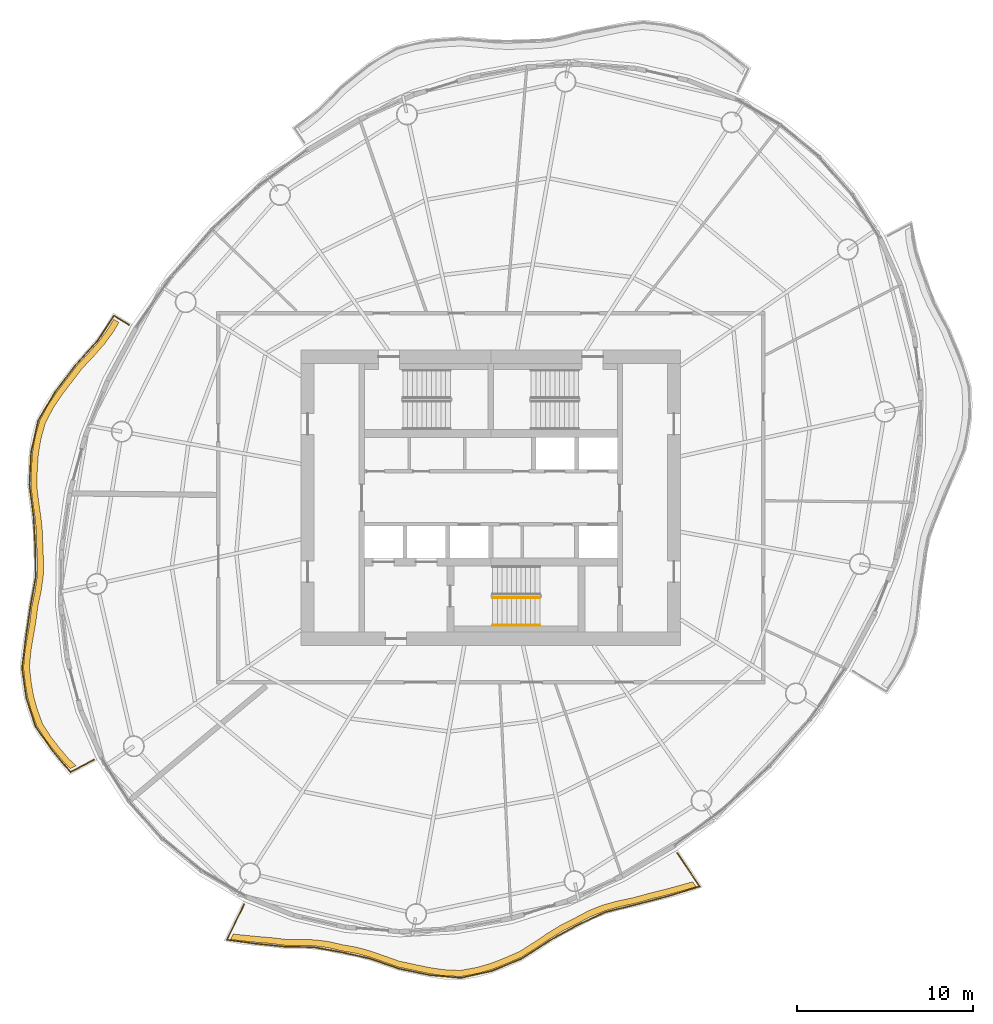
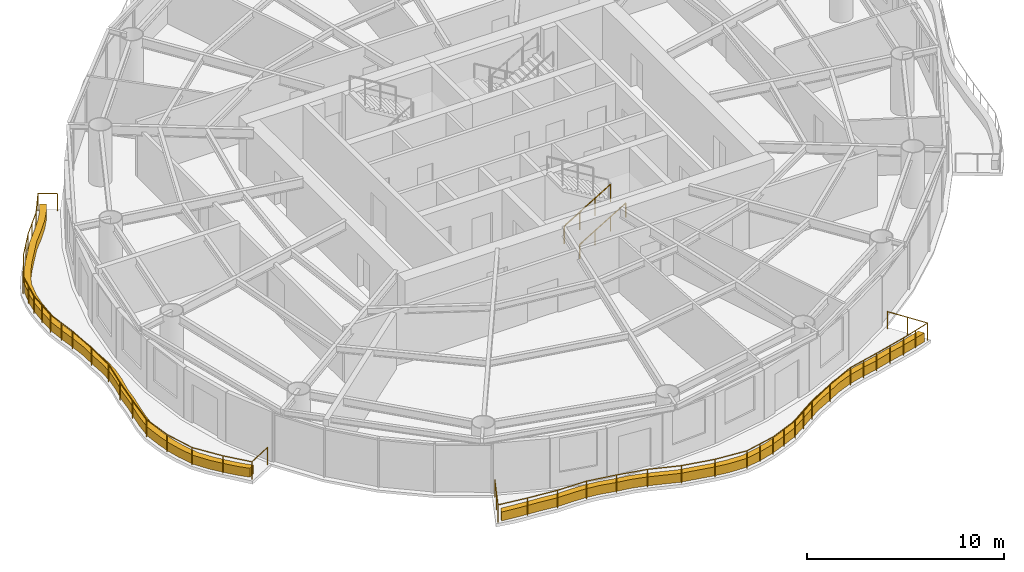
# One storey, part 12 of 14: 4 railings, 2 coverings.
"""IFC4 building model written with IfcOpenShell, lengths in metres."""

from ifc_helpers import new_model, si_unit, direction, frame, origin, origin_2d, place, context, subcontext, project, spatial, polyline, circle, outline, extrude, material, type_object, element, save


model = new_model("IFC4")

# Units and contexts
model_context = context("Model", 3, precision=1e-05, world=origin(), true_north=direction((0.0, 1.0)))
body_context = subcontext(model_context, "Body", "Model", "MODEL_VIEW")
ifc_project = project(units=[si_unit("LENGTHUNIT", "METRE"), si_unit("AREAUNIT", "SQUARE_METRE"), si_unit("VOLUMEUNIT", "CUBIC_METRE"), si_unit("PLANEANGLEUNIT", "RADIAN"), si_unit("MASSUNIT", "GRAM", prefix="KILO")], contexts=[model_context])

# Site, building, storey
site_placement = place(None, origin())
site = spatial("IfcSite", under=ifc_project, at=site_placement, CompositionType="ELEMENT")
building_placement = place(site_placement, origin())
building = spatial("IfcBuilding", under=site, at=building_placement, Name="Vermilion Reach Broadcast Tower", CompositionType="ELEMENT")
storey_placement = place(building_placement, frame((0.0, 0.0, 217.300048828125)))
storey = spatial("IfcBuildingStorey", under=building, at=storey_placement, Name="L53", CompositionType="ELEMENT", Elevation=217.300048828125)

# Coverings
ifc_material_1 = material(Name="Planting soil and greenery")
covering_type = type_object("IfcCoveringType", Name="Balcony PLANTER", PredefinedType="USERDEFINED", material=ifc_material_1)
placement = place(storey_placement, origin())
element("IfcCovering", 1, at=placement, inside=storey, type_object=covering_type, Name="PLANTER L53 group 2", ObjectType="PLANTER", PredefinedType="USERDEFINED", context=body_context, shape_type="SweptSolid", body=[
    extrude(outline(polyline([(-27.46142578125, 10.16455078125), (-27.783447265625, 9.61865234375), (-28.30615234375, 8.90576171875), (-28.898681640625, 8.23095703125), (-29.580322265625, 7.498046875), (-30.1787109375, 6.709716796875), (-30.721923828125, 5.99951171875), (-31.213134765625, 5.2685546875), (-31.68212890625, 4.374755859375), (-31.947265625, 3.42431640625), (-32.085693359375, 2.5869140625), (-32.145751953125, 1.728271484375), (-32.180908203125, 0.73828125), (-32.069580078125, -0.232177734375), (-31.9462890625, -1.083251953125), (-31.8583984375, -1.928955078125), (-31.84326171875, -2.8369140625), (-31.792724609375, -3.71337890625), (-31.826171875, -4.516845703125), (-31.94189453125, -5.31884765625), (-32.129150390625, -6.21142578125), (-32.238037109375, -7.10546875), (-32.37939453125, -7.911376953125), (-32.5146484375, -8.716552734375), (-32.5986328125, -9.67578125), (-32.4931640625, -10.603271484375), (-32.36328125, -11.359619140625), (-32.159912109375, -12.095947265625), (-31.83837890625, -12.98291015625), (-31.3359375, -13.77197265625), (-30.85986328125, -14.38037109375), (-30.357666015625, -14.977294921875), (-29.9228515625, -15.409423828125), (-29.61376953125, -15.2451171875), (-30.036865234375, -14.83740234375), (-30.5390625, -14.240234375), (-31.01513671875, -13.6318359375), (-31.508056640625, -12.8671875), (-31.822021484375, -12.005126953125), (-32.025390625, -11.268798828125), (-32.1552734375, -10.512451171875), (-32.2548828125, -9.609130859375), (-32.167236328125, -8.674560546875), (-32.031982421875, -7.869384765625), (-31.890625, -7.0634765625), (-31.77978515625, -6.193115234375), (-31.592041015625, -5.32421875), (-31.47607421875, -4.52197265625), (-31.442626953125, -3.71875), (-31.494384765625, -2.86474609375), (-31.511962890625, -1.97900390625), (-31.599853515625, -1.13330078125), (-31.72314453125, -0.2822265625), (-31.838134765625, 0.667236328125), (-31.807861328125, 1.63623046875), (-31.747802734375, 2.494873046875), (-31.609375, 3.332275390625), (-31.350341796875, 4.263427734375), (-30.888427734375, 5.137939453125), (-30.397216796875, 5.868896484375), (-29.85400390625, 6.5791015625), (-29.263427734375, 7.349365234375), (-28.5908203125, 8.064697265625), (-27.998291015625, 8.739501953125), (-27.4755859375, 9.4521484375), (-27.1630859375, 9.9814453125), (-27.46142578125, 10.16455078125)])), origin(), (0.0, 0.0, 1.0), 0.550048828125),
])
element("IfcCovering", 2, at=placement, inside=storey, type_object=covering_type, Name="PLANTER L53 group 3", ObjectType="PLANTER", PredefinedType="USERDEFINED", context=body_context, shape_type="SweptSolid", body=[
    extrude(outline(polyline([(-20.815185546875, -25.14404296875), (-20.170654296875, -25.2158203125), (-19.398193359375, -25.295166015625), (-18.618896484375, -25.357421875), (-17.739501953125, -25.465576171875), (-16.843505859375, -25.46923828125), (-16.066650390625, -25.4990234375), (-15.3046875, -25.594970703125), (-14.486328125, -25.7822265625), (-13.636962890625, -25.9306640625), (-12.868896484375, -26.14404296875), (-12.105224609375, -26.410400390625), (-11.227783203125, -26.717041015625), (-10.2958984375, -26.90966796875), (-9.48193359375, -27.0830078125), (-8.670654296875, -27.20361328125), (-7.706787109375, -27.244384765625), (-6.740478515625, -27.073974609375), (-5.944091796875, -26.844970703125), (-5.16162109375, -26.5390625), (-4.270263671875, -26.155029296875), (-3.424560546875, -25.624267578125), (-2.693603515625, -25.133056640625), (-1.95166015625, -24.676513671875), (-1.1279296875, -24.262939453125), (-0.30810546875, -23.825927734375), (0.4921875, -23.505126953125), (1.33056640625, -23.26904296875), (2.2724609375, -23.0693359375), (3.223388671875, -22.8017578125), (4.1123046875, -22.585205078125), (4.98779296875, -22.346435546875), (5.685302734375, -22.142333984375), (5.4912109375, -21.85107421875), (4.809814453125, -22.044921875), (3.934326171875, -22.283935546875), (3.045654296875, -22.500244140625), (2.11181640625, -22.75830078125), (1.187744140625, -22.949462890625), (0.349609375, -23.185546875), (-0.450927734375, -23.50634765625), (-1.251953125, -23.935546875), (-2.056396484375, -24.342529296875), (-2.798095703125, -24.799072265625), (-3.529052734375, -25.290283203125), (-4.354248046875, -25.815185546875), (-5.224609375, -26.19482421875), (-6.007080078125, -26.500732421875), (-6.803466796875, -26.729736328125), (-7.74755859375, -26.89697265625), (-8.68896484375, -26.854248046875), (-9.500244140625, -26.7333984375), (-10.314208984375, -26.560302734375), (-11.22265625, -26.3671875), (-12.076416015625, -26.061767578125), (-12.840087890625, -25.795166015625), (-13.608154296875, -25.58203125), (-14.432861328125, -25.4365234375), (-15.226806640625, -25.25390625), (-15.988525390625, -25.157958984375), (-16.765380859375, -25.1279296875), (-17.63623046875, -25.131103515625), (-18.4912109375, -25.031494140625), (-19.270263671875, -24.96923828125), (-20.04296875, -24.889892578125), (-20.66259765625, -24.8291015625), (-20.815185546875, -25.14404296875)])), origin(), (0.0, 0.0, 1.0), 0.550048828125),
])

# Railings
ifc_material_2 = material(Name="Stainless steel 316 balustrade", Category="steel")
railing_type_1 = type_object("IfcRailingType", Name="Balcony guard 1100", PredefinedType="BALUSTRADE", material=ifc_material_2)
railing_1_placement = place(storey_placement, frame((-26.604248046875, 9.849609375, 0.0)))
element("IfcRailing", 3, at=railing_1_placement, inside=storey, type_object=railing_type_1, Name="Balcony guard L53 group 2", PredefinedType="BALUSTRADE", context=body_context, shape_type="SweptSolid", body=[
    extrude(circle(Radius=0.02490234375, at=origin_2d()), frame((0.0, 0.0, 1.0751953125), z_axis=(-0.852423133657, 0.522852561633, 0.0), x_axis=(-0.522852561633, -0.852423133657, 0.0)), (0.0, 0.0, 1.0), 0.9853515625),
    extrude(circle(Radius=0.02490234375, at=origin_2d()), frame((-0.83984375, 0.51513671875, 1.0751953125), z_axis=(-0.548618786627, -0.836072620626, 0.0), x_axis=(0.836072620626, -0.548618786627, 0.0)), (0.0, 0.0, 1.0), 1.699462890625),
    extrude(circle(Radius=0.02490234375, at=origin_2d()), frame((-1.772216796875, -0.90576171875, 1.0751953125), z_axis=(-0.670607562151, -0.741812306171, 0.0), x_axis=(0.741812306171, -0.670607562151, 0.0)), (0.0, 0.0, 1.0), 1.90283203125),
    extrude(circle(Radius=0.02490234375, at=origin_2d()), frame((-3.04833984375, -2.3173828125, 1.0751953125), z_axis=(-0.605591254026, -0.795775868601, 0.0), x_axis=(0.795775868601, -0.605591254026, 0.0)), (0.0, 0.0, 1.0), 1.888427734375),
    extrude(circle(Radius=0.02490234375, at=origin_2d()), frame((-4.19189453125, -3.820068359375, 1.0751953125), z_axis=(-0.508429300803, -0.861103737122, 0.0), x_axis=(0.861103737122, -0.508429300803, 0.0)), (0.0, 0.0, 1.0), 1.891845703125),
    extrude(circle(Radius=0.02490234375, at=origin_2d()), frame((-5.15380859375, -5.44921875, 1.0751953125), z_axis=(-0.220277182581, -0.975437318762, 0.0), x_axis=(0.975437318762, -0.220277182581, 0.0)), (0.0, 0.0, 1.0), 1.837646484375),
    extrude(circle(Radius=0.02490234375, at=origin_2d()), frame((-5.55859375, -7.24169921875, 1.0751953125), z_axis=(-0.051965000411, -0.998648906639, 0.0), x_axis=(0.998648906639, -0.051965000411, 0.0)), (0.0, 0.0, 1.0), 1.855712890625),
    extrude(circle(Radius=0.02490234375, at=origin_2d()), frame((-5.655029296875, -9.094970703125, 1.0751953125), z_axis=(0.127020490487, -0.991900093254, 0.0), x_axis=(0.991900093254, 0.127020490487, 0.0)), (0.0, 0.0, 1.0), 1.84130859375),
    extrude(circle(Radius=0.02490234375, at=origin_2d()), frame((-5.421142578125, -10.92138671875, 1.0751953125), z_axis=(0.058064004633, -0.998312862466, 0.0), x_axis=(0.998312862466, 0.058064004633, 0.0)), (0.0, 0.0, 1.0), 1.76171875),
    extrude(circle(Radius=0.02490234375, at=origin_2d()), frame((-5.31884765625, -12.68017578125, 1.0751953125), z_axis=(0.010141466268, -0.999948574009, 0.0), x_axis=(0.999948574009, 0.010141466268, 0.0)), (0.0, 0.0, 1.0), 1.68505859375),
    extrude(circle(Radius=0.02490234375, at=origin_2d()), frame((-5.3017578125, -14.365234375, 1.0751953125), z_axis=(-0.175462761896, -0.98448606856, 0.0), x_axis=(0.98448606856, -0.175462761896, 0.0)), (0.0, 0.0, 1.0), 1.726806640625),
    extrude(circle(Radius=0.02490234375, at=origin_2d()), frame((-5.604736328125, -16.065185546875, 1.0751953125), z_axis=(-0.145049475852, -0.989424403153, 0.0), x_axis=(0.989424403153, -0.145049475852, 0.0)), (0.0, 0.0, 1.0), 1.7236328125),
    extrude(circle(Radius=0.02490234375, at=origin_2d()), frame((-5.854736328125, -17.7705078125, 1.0751953125), z_axis=(-0.122383408298, -0.99248289727, 0.0), x_axis=(0.99248289727, -0.122383408298, 0.0)), (0.0, 0.0, 1.0), 1.783447265625),
    extrude(circle(Radius=0.02490234375, at=origin_2d()), frame((-6.072998046875, -19.54052734375, 1.0751953125), z_axis=(0.138675916743, -0.99033781616, 0.0), x_axis=(0.99033781616, 0.138675916743, 0.0)), (0.0, 0.0, 1.0), 1.7060546875),
    extrude(circle(Radius=0.02490234375, at=origin_2d()), frame((-5.83642578125, -21.22998046875, 1.0751953125), z_axis=(0.307744346871, -0.951469083559, 0.0), x_axis=(0.951469083559, 0.307744346871, 0.0)), (0.0, 0.0, 1.0), 1.7119140625),
    extrude(circle(Radius=0.02490234375, at=origin_2d()), frame((-5.3095703125, -22.85888671875, 1.0751953125), z_axis=(0.572801657125, -0.819694004855, 0.0), x_axis=(0.819694004855, 0.572801657125, 0.0)), (0.0, 0.0, 1.0), 1.711669921875),
    extrude(circle(Radius=0.02490234375, at=origin_2d()), frame((-4.3291015625, -24.261962890625, 1.0751953125), z_axis=(0.644839700329, -0.764317840221, 0.0), x_axis=(0.764317840221, 0.644839700329, 0.0)), (0.0, 0.0, 1.0), 1.5693359375),
    extrude(circle(Radius=0.02490234375, at=origin_2d()), frame((-3.317138671875, -25.46142578125, 1.0751953125), z_axis=(0.882863811803, 0.469629098129, 0.0), x_axis=(-0.469629098129, 0.882863811803, 0.0)), (0.0, 0.0, 1.0), 1.506591796875),
    extrude(circle(Radius=0.02490234375, at=origin_2d()), origin(), (0.0, 0.0, 1.0), 1.050048828125),
    extrude(circle(Radius=0.02490234375, at=origin_2d()), frame((-0.83984375, 0.51513671875, 0.0)), (0.0, 0.0, 1.0), 1.050048828125),
    extrude(circle(Radius=0.02490234375, at=origin_2d()), frame((-1.772216796875, -0.90576171875, 0.0)), (0.0, 0.0, 1.0), 1.050048828125),
    extrude(circle(Radius=0.02490234375, at=origin_2d()), frame((-2.41015625, -1.611572265625, 0.0)), (0.0, 0.0, 1.0), 1.050048828125),
    extrude(circle(Radius=0.02490234375, at=origin_2d()), frame((-3.04833984375, -2.3173828125, 0.0)), (0.0, 0.0, 1.0), 1.050048828125),
    extrude(circle(Radius=0.02490234375, at=origin_2d()), frame((-3.6201171875, -3.06884765625, 0.0)), (0.0, 0.0, 1.0), 1.050048828125),
    extrude(circle(Radius=0.02490234375, at=origin_2d()), frame((-4.19189453125, -3.820068359375, 0.0)), (0.0, 0.0, 1.0), 1.050048828125),
    extrude(circle(Radius=0.02490234375, at=origin_2d()), frame((-4.6728515625, -4.634765625, 0.0)), (0.0, 0.0, 1.0), 1.050048828125),
    extrude(circle(Radius=0.02490234375, at=origin_2d()), frame((-5.15380859375, -5.44921875, 0.0)), (0.0, 0.0, 1.0), 1.050048828125),
    extrude(circle(Radius=0.02490234375, at=origin_2d()), frame((-5.356201171875, -6.345458984375, 0.0)), (0.0, 0.0, 1.0), 1.050048828125),
    extrude(circle(Radius=0.02490234375, at=origin_2d()), frame((-5.55859375, -7.24169921875, 0.0)), (0.0, 0.0, 1.0), 1.050048828125),
    extrude(circle(Radius=0.02490234375, at=origin_2d()), frame((-5.60693359375, -8.16845703125, 0.0)), (0.0, 0.0, 1.0), 1.050048828125),
    extrude(circle(Radius=0.02490234375, at=origin_2d()), frame((-5.655029296875, -9.094970703125, 0.0)), (0.0, 0.0, 1.0), 1.050048828125),
    extrude(circle(Radius=0.02490234375, at=origin_2d()), frame((-5.5380859375, -10.00830078125, 0.0)), (0.0, 0.0, 1.0), 1.050048828125),
    extrude(circle(Radius=0.02490234375, at=origin_2d()), frame((-5.421142578125, -10.92138671875, 0.0)), (0.0, 0.0, 1.0), 1.050048828125),
    extrude(circle(Radius=0.02490234375, at=origin_2d()), frame((-5.31884765625, -12.68017578125, 0.0)), (0.0, 0.0, 1.0), 1.050048828125),
    extrude(circle(Radius=0.02490234375, at=origin_2d()), frame((-5.3017578125, -14.365234375, 0.0)), (0.0, 0.0, 1.0), 1.050048828125),
    extrude(circle(Radius=0.02490234375, at=origin_2d()), frame((-5.604736328125, -16.065185546875, 0.0)), (0.0, 0.0, 1.0), 1.050048828125),
    extrude(circle(Radius=0.02490234375, at=origin_2d()), frame((-5.854736328125, -17.7705078125, 0.0)), (0.0, 0.0, 1.0), 1.050048828125),
    extrude(circle(Radius=0.02490234375, at=origin_2d()), frame((-6.072998046875, -19.54052734375, 0.0)), (0.0, 0.0, 1.0), 1.050048828125),
    extrude(circle(Radius=0.02490234375, at=origin_2d()), frame((-5.83642578125, -21.22998046875, 0.0)), (0.0, 0.0, 1.0), 1.050048828125),
    extrude(circle(Radius=0.02490234375, at=origin_2d()), frame((-5.3095703125, -22.85888671875, 0.0)), (0.0, 0.0, 1.0), 1.050048828125),
    extrude(circle(Radius=0.02490234375, at=origin_2d()), frame((-4.3291015625, -24.261962890625, 0.0)), (0.0, 0.0, 1.0), 1.050048828125),
    extrude(circle(Radius=0.02490234375, at=origin_2d()), frame((-3.317138671875, -25.46142578125, 0.0)), (0.0, 0.0, 1.0), 1.050048828125),
    extrude(circle(Radius=0.02490234375, at=origin_2d()), frame((-1.987060546875, -24.75390625, 0.0)), (0.0, 0.0, 1.0), 1.050048828125),
])
railing_2_placement = place(storey_placement, frame((-20.042236328125, -23.136962890625, 0.0)))
element("IfcRailing", 4, at=railing_2_placement, inside=storey, type_object=railing_type_1, Name="Balcony guard L53 group 3", PredefinedType="BALUSTRADE", context=body_context, shape_type="SweptSolid", body=[
    extrude(circle(Radius=0.02490234375, at=origin_2d()), frame((0.0, 0.0, 1.0751953125), z_axis=(-0.435960218168, -0.89996593723, 0.0), x_axis=(0.89996593723, -0.435960218168, 0.0)), (0.0, 0.0, 1.0), 2.2373046875),
    extrude(circle(Radius=0.02490234375, at=origin_2d()), frame((-0.975341796875, -2.013427734375, 1.0751953125), z_axis=(0.990631063992, -0.136565350854, 0.0), x_axis=(0.136565350854, 0.990631063992, 0.0)), (0.0, 0.0, 1.0), 1.60546875),
    extrude(circle(Radius=0.02490234375, at=origin_2d()), frame((0.614990234375, -2.232666015625, 1.0751953125), z_axis=(0.994679942641, -0.10301364816, 0.0), x_axis=(0.10301364816, 0.994679942641, 0.0)), (0.0, 0.0, 1.0), 1.673095703125),
    extrude(circle(Radius=0.02490234375, at=origin_2d()), frame((2.279296875, -2.405029296875, 1.0751953125), z_axis=(0.999780716116, -0.020940861545, 0.0), x_axis=(0.020940861545, 0.999780716116, 0.0)), (0.0, 0.0, 1.0), 1.678955078125),
    extrude(circle(Radius=0.02490234375, at=origin_2d()), frame((3.957763671875, -2.440185546875, 1.0751953125), z_axis=(0.98432251104, -0.176377986892, 0.0), x_axis=(0.176377986892, 0.98432251104, 0.0)), (0.0, 0.0, 1.0), 1.611083984375),
    extrude(circle(Radius=0.02490234375, at=origin_2d()), frame((5.543701171875, -2.724365234375, 1.0751953125), z_axis=(0.97597935634, -0.217863021181, 0.0), x_axis=(0.217863021181, 0.97597935634, 0.0)), (0.0, 0.0, 1.0), 1.6630859375),
    extrude(circle(Radius=0.02490234375, at=origin_2d()), frame((7.166748046875, -3.086669921875, 1.0751953125), z_axis=(0.944355026996, -0.328927929777, 0.0), x_axis=(0.328927929777, 0.944355026996, 0.0)), (0.0, 0.0, 1.0), 1.743408203125),
    extrude(circle(Radius=0.02490234375, at=origin_2d()), frame((8.813232421875, -3.66015625, 1.0751953125), z_axis=(0.978887232567, -0.204401041871, 0.0), x_axis=(0.204401041871, 0.978887232567, 0.0)), (0.0, 0.0, 1.0), 1.789306640625),
    extrude(circle(Radius=0.02490234375, at=origin_2d()), frame((10.564697265625, -4.02587890625, 1.0751953125), z_axis=(0.995927842325, -0.090153939917, 0.0), x_axis=(0.090153939917, 0.995927842325, 0.0)), (0.0, 0.0, 1.0), 1.787353515625),
    extrude(circle(Radius=0.02490234375, at=origin_2d()), frame((12.3447265625, -4.18701171875, 1.0751953125), z_axis=(0.975297971127, 0.220893339683, 0.0), x_axis=(-0.220893339683, 0.975297971127, 0.0)), (0.0, 0.0, 1.0), 1.8125),
    extrude(circle(Radius=0.02490234375, at=origin_2d()), frame((14.112548828125, -3.78662109375, 1.0751953125), z_axis=(0.924719876914, 0.380648327515, 0.0), x_axis=(-0.380648327515, 0.924719876914, 0.0)), (0.0, 0.0, 1.0), 1.815185546875),
    extrude(circle(Radius=0.02490234375, at=origin_2d()), frame((15.791015625, -3.095703125, 1.0751953125), z_axis=(0.839608405591, 0.54319216237, 0.0), x_axis=(-0.54319216237, 0.839608405591, 0.0)), (0.0, 0.0, 1.0), 1.8837890625),
    extrude(circle(Radius=0.02490234375, at=origin_2d()), frame((17.37255859375, -2.072509765625, 1.0751953125), z_axis=(0.87431755112, 0.485354323977, 0.0), x_axis=(-0.485354323977, 0.87431755112, 0.0)), (0.0, 0.0, 1.0), 1.795654296875),
    extrude(circle(Radius=0.02490234375, at=origin_2d()), frame((18.942626953125, -1.200927734375, 1.0751953125), z_axis=(0.905828080779, 0.423645474509, 0.0), x_axis=(-0.423645474509, 0.905828080779, 0.0)), (0.0, 0.0, 1.0), 1.79345703125),
    extrude(circle(Radius=0.02490234375, at=origin_2d()), frame((20.567138671875, -0.441162109375, 1.0751953125), z_axis=(0.971227086063, 0.238155300797, 0.0), x_axis=(-0.238155300797, 0.971227086063, 0.0)), (0.0, 0.0, 1.0), 1.837158203125),
    extrude(circle(Radius=0.02490234375, at=origin_2d()), frame((22.351318359375, -0.003662109375, 1.0751953125), z_axis=(0.966928430379, 0.255047859284, 0.0), x_axis=(-0.255047859284, 0.966928430379, 0.0)), (0.0, 0.0, 1.0), 1.90673828125),
    extrude(circle(Radius=0.02490234375, at=origin_2d()), frame((24.195068359375, 0.482666015625, 1.0751953125), z_axis=(0.955200728911, 0.295958725986, 0.0), x_axis=(-0.295958725986, 0.955200728911, 0.0)), (0.0, 0.0, 1.0), 1.813232421875),
    extrude(circle(Radius=0.02490234375, at=origin_2d()), frame((25.927001953125, 1.019287109375, 1.0751953125), z_axis=(-0.554502708129, 0.832181919221, 0.0), x_axis=(-0.832181919221, -0.554502708129, 0.0)), (0.0, 0.0, 1.0), 2.282470703125),
    extrude(circle(Radius=0.02490234375, at=origin_2d()), origin(), (0.0, 0.0, 1.0), 1.050048828125),
    extrude(circle(Radius=0.02490234375, at=origin_2d()), frame((-0.48779296875, -1.0068359375, 0.0)), (0.0, 0.0, 1.0), 1.050048828125),
    extrude(circle(Radius=0.02490234375, at=origin_2d()), frame((-0.975341796875, -2.013427734375, 0.0)), (0.0, 0.0, 1.0), 1.050048828125),
    extrude(circle(Radius=0.02490234375, at=origin_2d()), frame((0.614990234375, -2.232666015625, 0.0)), (0.0, 0.0, 1.0), 1.050048828125),
    extrude(circle(Radius=0.02490234375, at=origin_2d()), frame((2.279296875, -2.405029296875, 0.0)), (0.0, 0.0, 1.0), 1.050048828125),
    extrude(circle(Radius=0.02490234375, at=origin_2d()), frame((3.957763671875, -2.440185546875, 0.0)), (0.0, 0.0, 1.0), 1.050048828125),
    extrude(circle(Radius=0.02490234375, at=origin_2d()), frame((5.543701171875, -2.724365234375, 0.0)), (0.0, 0.0, 1.0), 1.050048828125),
    extrude(circle(Radius=0.02490234375, at=origin_2d()), frame((7.166748046875, -3.086669921875, 0.0)), (0.0, 0.0, 1.0), 1.050048828125),
    extrude(circle(Radius=0.02490234375, at=origin_2d()), frame((8.813232421875, -3.66015625, 0.0)), (0.0, 0.0, 1.0), 1.050048828125),
    extrude(circle(Radius=0.02490234375, at=origin_2d()), frame((10.564697265625, -4.02587890625, 0.0)), (0.0, 0.0, 1.0), 1.050048828125),
    extrude(circle(Radius=0.02490234375, at=origin_2d()), frame((12.3447265625, -4.18701171875, 0.0)), (0.0, 0.0, 1.0), 1.050048828125),
    extrude(circle(Radius=0.02490234375, at=origin_2d()), frame((13.228515625, -3.98681640625, 0.0)), (0.0, 0.0, 1.0), 1.050048828125),
    extrude(circle(Radius=0.02490234375, at=origin_2d()), frame((14.112548828125, -3.78662109375, 0.0)), (0.0, 0.0, 1.0), 1.050048828125),
    extrude(circle(Radius=0.02490234375, at=origin_2d()), frame((14.95166015625, -3.441162109375, 0.0)), (0.0, 0.0, 1.0), 1.050048828125),
    extrude(circle(Radius=0.02490234375, at=origin_2d()), frame((15.791015625, -3.095703125, 0.0)), (0.0, 0.0, 1.0), 1.050048828125),
    extrude(circle(Radius=0.02490234375, at=origin_2d()), frame((16.581787109375, -2.583984375, 0.0)), (0.0, 0.0, 1.0), 1.050048828125),
    extrude(circle(Radius=0.02490234375, at=origin_2d()), frame((17.37255859375, -2.072509765625, 0.0)), (0.0, 0.0, 1.0), 1.050048828125),
    extrude(circle(Radius=0.02490234375, at=origin_2d()), frame((18.942626953125, -1.200927734375, 0.0)), (0.0, 0.0, 1.0), 1.050048828125),
    extrude(circle(Radius=0.02490234375, at=origin_2d()), frame((20.567138671875, -0.441162109375, 0.0)), (0.0, 0.0, 1.0), 1.050048828125),
    extrude(circle(Radius=0.02490234375, at=origin_2d()), frame((21.459228515625, -0.222412109375, 0.0)), (0.0, 0.0, 1.0), 1.050048828125),
    extrude(circle(Radius=0.02490234375, at=origin_2d()), frame((22.351318359375, -0.003662109375, 0.0)), (0.0, 0.0, 1.0), 1.050048828125),
    extrude(circle(Radius=0.02490234375, at=origin_2d()), frame((23.273193359375, 0.239501953125, 0.0)), (0.0, 0.0, 1.0), 1.050048828125),
    extrude(circle(Radius=0.02490234375, at=origin_2d()), frame((24.195068359375, 0.482666015625, 0.0)), (0.0, 0.0, 1.0), 1.050048828125),
    extrude(circle(Radius=0.02490234375, at=origin_2d()), frame((25.06103515625, 0.7509765625, 0.0)), (0.0, 0.0, 1.0), 1.050048828125),
    extrude(circle(Radius=0.02490234375, at=origin_2d()), frame((25.927001953125, 1.019287109375, 0.0)), (0.0, 0.0, 1.0), 1.050048828125),
    extrude(circle(Radius=0.02490234375, at=origin_2d()), frame((25.294189453125, 1.968994140625, 0.0)), (0.0, 0.0, 1.0), 1.050048828125),
    extrude(circle(Radius=0.02490234375, at=origin_2d()), frame((24.661376953125, 2.918701171875, 0.0)), (0.0, 0.0, 1.0), 1.050048828125),
])
ifc_material_3 = material(Name="Stainless steel", Category="steel")
railing_type_2 = type_object("IfcRailingType", Name="Stair guard 1100", PredefinedType="GUARDRAIL", material=ifc_material_3)
railing_3_placement = place(storey_placement, frame((-5.89990234375, -5.68994140625, 0.16357421875)))
element("IfcRailing", 5, at=railing_3_placement, inside=storey, type_object=railing_type_2, Name="L53 ST3 stair guard 1", PredefinedType="GUARDRAIL", context=body_context, shape_type="SweptSolid", body=[
    extrude(circle(Radius=0.02392578125, at=origin_2d()), frame((0.0, 0.0, 1.076171875), z_axis=(0.855178096276, 0.0, 0.518334277904), x_axis=(0.0, 1.0, 0.0)), (0.0, 0.0, 1.0), 3.1572265625),
    extrude(circle(Radius=0.02099609375, at=origin_2d()), origin(), (0.0, 0.0, 1.0), 1.052001953125),
    extrude(circle(Radius=0.02099609375, at=origin_2d()), frame((0.89990234375, 0.0, 0.54541015625)), (0.0, 0.0, 1.0), 1.052001953125),
    extrude(circle(Radius=0.02099609375, at=origin_2d()), frame((1.800048828125, 0.0, 1.091064453125)), (0.0, 0.0, 1.0), 1.052001953125),
    extrude(circle(Radius=0.02099609375, at=origin_2d()), frame((2.699951171875, 0.0, 1.636474609375)), (0.0, 0.0, 1.0), 1.052001953125),
])
ifc_material_4 = material(Name="Stainless steel", Category="steel")
railing_type_3 = type_object("IfcRailingType", Name="Stair handrail", PredefinedType="HANDRAIL", material=ifc_material_4)
railing_4_placement = place(storey_placement, frame((-5.89990234375, -7.25, 0.16357421875)))
element("IfcRailing", 6, at=railing_4_placement, inside=storey, type_object=railing_type_3, Name="L53 ST3 stair handrail 1", PredefinedType="HANDRAIL", context=body_context, shape_type="SweptSolid", body=[
    extrude(circle(Radius=0.02392578125, at=origin_2d()), frame((0.0, 0.0, 0.8759765625), z_axis=(0.855178096276, 0.0, 0.518334277904), x_axis=(0.0, 1.0, 0.0)), (0.0, 0.0, 1.0), 3.1572265625),
    extrude(circle(Radius=0.02099609375, at=origin_2d()), origin(), (0.0, 0.0, 1.0), 0.851806640625),
    extrude(circle(Radius=0.02099609375, at=origin_2d()), frame((0.89990234375, 0.0, 0.54541015625)), (0.0, 0.0, 1.0), 0.851806640625),
    extrude(circle(Radius=0.02099609375, at=origin_2d()), frame((1.800048828125, 0.0, 1.091064453125)), (0.0, 0.0, 1.0), 0.851806640625),
    extrude(circle(Radius=0.02099609375, at=origin_2d()), frame((2.699951171875, 0.0, 1.636474609375)), (0.0, 0.0, 1.0), 0.851806640625),
])

save(model, "model.ifc")
